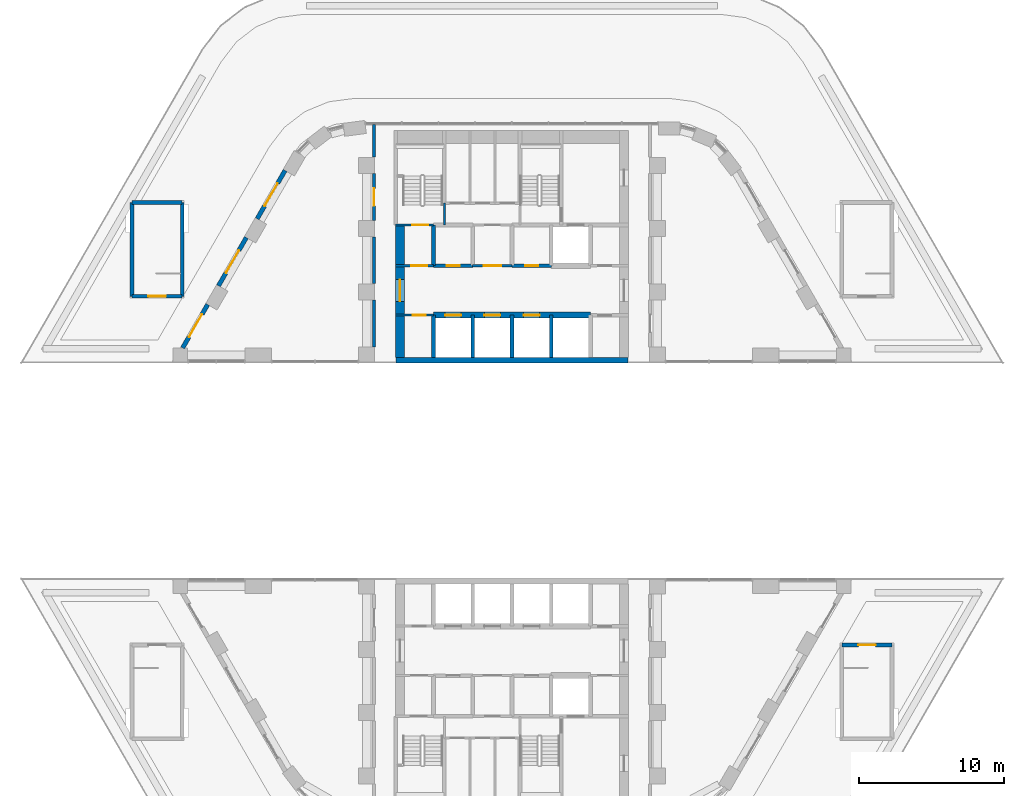
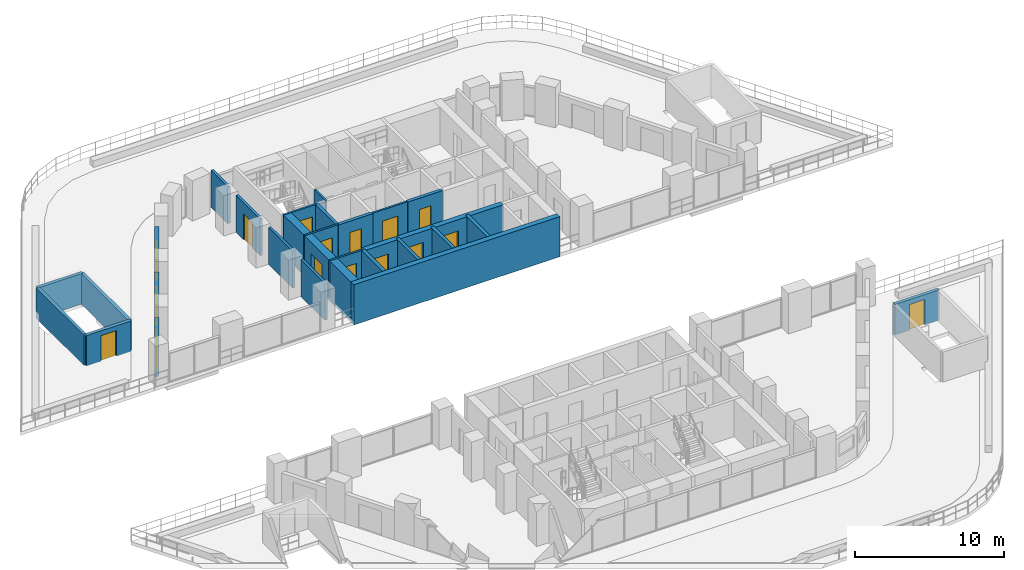
# One storey, part 13 of 24: 27 walls, 16 doors, 16 openings.
"""IFC4 building model written with IfcOpenShell, lengths in metres."""

from ifc_helpers import new_model, si_unit, direction, frame, frame_2d, origin, place, context, subcontext, project, spatial, rectangle, extrude, material, layer, layer_set, type_object, element, fill, save


model = new_model("IFC4")

# Units and contexts
model_context = context("Model", 3, precision=1e-05, world=origin(), true_north=direction((0.0, 1.0)))
body_context = subcontext(model_context, "Body", "Model", "MODEL_VIEW")
ifc_project = project(units=[si_unit("LENGTHUNIT", "METRE"), si_unit("AREAUNIT", "SQUARE_METRE"), si_unit("VOLUMEUNIT", "CUBIC_METRE"), si_unit("PLANEANGLEUNIT", "RADIAN"), si_unit("MASSUNIT", "GRAM", prefix="KILO")], contexts=[model_context])

# Site, building, storey
site_placement = place(None, origin())
site = spatial("IfcSite", under=ifc_project, at=site_placement, CompositionType="ELEMENT")
building_placement = place(site_placement, origin())
building = spatial("IfcBuilding", under=site, at=building_placement, Name="Nakaniwa Court", CompositionType="ELEMENT")
storey_placement = place(building_placement, frame((0.0, 0.0, 28.199951171875)))
storey = spatial("IfcBuildingStorey", under=building, at=storey_placement, Name="L06", CompositionType="ELEMENT", Elevation=28.199951171875)

# Walls
ifc_material_1 = material(Name="Acoustic double stud partition")
ifc_layer_1 = layer(ifc_material_1, 0.199951171875)
ifc_layer_set_1 = layer_set([ifc_layer_1], Name="Acoustic double stud partition")
wall_type_1 = type_object("IfcWallType", Name="Acoustic double stud partition 200", PredefinedType="PARTITIONING", material=ifc_layer_set_1)
wall_1_placement = place(storey_placement, frame((70.5, 88.51708984375, 0.0), z_axis=(0.0, 0.0, 1.0), x_axis=(0.0, 1.0, 0.0)))
element("IfcWall", 1, at=wall_1_placement, inside=storey, type_object=wall_type_1, Name="Partition PW-081", PredefinedType="PARTITIONING", context=body_context, shape_type="SweptSolid", body=[
    extrude(rectangle(XDim=3.2158203125, YDim=0.199951171875, at=frame_2d((1.60791015625, 0.0))), origin(), (0.0, 0.0, 1.0), 3.025146484375),
])
wall_2_placement = place(storey_placement, frame((70.5, 92.866943359375, 0.0), z_axis=(0.0, 0.0, 1.0), x_axis=(0.0, 1.0, 0.0)))
element("IfcWall", 2, at=wall_2_placement, inside=storey, type_object=wall_type_1, Name="Partition PW-082", PredefinedType="PARTITIONING", context=body_context, shape_type="SweptSolid", body=[
    extrude(rectangle(XDim=3.216064453125, YDim=0.199951171875, at=frame_2d((1.60791015625, 0.0))), origin(), (0.0, 0.0, 1.0), 3.025146484375),
])

# Wall, opening, door
wall_3_placement = place(storey_placement, frame((70.5, 97.217041015625, 0.0), z_axis=(0.0, 0.0, 1.0), x_axis=(0.0, 1.0, 0.0)))
wall_3 = element("IfcWall", 3, at=wall_3_placement, inside=storey, type_object=wall_type_1, Name="Partition PW-083", PredefinedType="PARTITIONING", context=body_context, shape_type="SweptSolid", body=[
    extrude(rectangle(XDim=3.216064453125, YDim=0.199951171875, at=frame_2d((1.60791015625, 0.0))), origin(), (0.0, 0.0, 1.0), 3.025146484375),
])
opening_1_placement = place(wall_3_placement, frame((1.008056640625, 0.0, 0.0)))
opening_1 = element("IfcOpeningElement", 4, at=opening_1_placement, cuts=wall_3, Name="Opening D-30-04", PredefinedType="OPENING", context=body_context, shape_type="SweptSolid", body=[
    extrude(rectangle(XDim=1.199951171875, YDim=2.10009765625, at=frame_2d((0.60009765625, 1.050048828125))), frame((0.0, 0.10986328125, 0.0), z_axis=(0.0, -1.0, 0.0), x_axis=(1.0, 0.0, 0.0)), (0.0, 0.0, 1.0), 0.219970703125),
])
ifc_material_2 = material(Name="Solid core timber door set, black veneer", Category="wood")
door_type_1 = type_object("IfcDoorType", Name="Internal door 1200", OperationType="NOTDEFINED", PredefinedType="DOOR", material=ifc_material_2)
door_1_placement = place(opening_1_placement, origin())
door_1 = element("IfcDoor", 5, at=door_1_placement, inside=storey, type_object=door_type_1, Name="Door D-30-04 L06-030", OperationType="SINGLE_SWING_LEFT", OverallHeight=2.10009765625, OverallWidth=1.199951171875, PredefinedType="DOOR", context=body_context, shape_type="SweptSolid", body=[
    extrude(rectangle(XDim=1.199951171875, YDim=2.10009765625, at=frame_2d((0.60009765625, 1.050048828125))), frame((0.0, 0.02490234375, 0.0), z_axis=(0.0, -1.0, 0.0), x_axis=(1.0, 0.0, 0.0)), (0.0, 0.0, 1.0), 0.050048828125),
])
fill(opening_1, door_1)

# Wall
wall_4_placement = place(storey_placement, frame((70.5, 101.56689453125, 0.0), z_axis=(0.0, 0.0, 1.0), x_axis=(0.0, 1.0, 0.0)))
element("IfcWall", 6, at=wall_4_placement, inside=storey, type_object=wall_type_1, Name="Partition PW-084", PredefinedType="PARTITIONING", context=body_context, shape_type="SweptSolid", body=[
    extrude(rectangle(XDim=2.253173828125, YDim=0.199951171875, at=frame_2d((1.12646484375, 0.0))), origin(), (0.0, 0.0, 1.0), 3.025146484375),
])

# Wall, opening, door
ifc_material_3 = material(Name="Charcoal ceramic cladding")
ifc_layer_2 = layer(ifc_material_3, 0.02, Name="Ceramic cladding")
ifc_material_4 = material(Name="Ventilated air cavity")
ifc_layer_3 = layer(ifc_material_4, 0.04, ventilated=True, Name="Ventilated cavity")
ifc_material_5 = material(Name="Mineral wool insulation")
ifc_layer_4 = layer(ifc_material_5, 0.1, Name="Insulation")
ifc_material_6 = material(Name="Cement bonded sheathing board")
ifc_layer_5 = layer(ifc_material_6, 0.012, Name="Sheathing")
ifc_material_7 = material(Name="Cold-formed galvanised stud frame with mineral wool infill")
ifc_layer_6 = layer(ifc_material_7, 0.1, Name="Stud frame")
ifc_material_8 = material(Name="Fire-rated gypsum plasterboard lining")
ifc_layer_7 = layer(ifc_material_8, 0.028, Name="Lining")
ifc_layer_set_2 = layer_set([ifc_layer_2, ifc_layer_3, ifc_layer_4, ifc_layer_5, ifc_layer_6, ifc_layer_7], Name="Charcoal ceramic faced external wall system")
wall_type_2 = type_object("IfcWallType", Name="Black ceramic faced external wall 300", PredefinedType="SOLIDWALL", material=ifc_layer_set_2)
wall_5_placement = place(storey_placement, frame((61.7216796875, 96.041015625, 0.0), z_axis=(0.0, 0.0, 1.0), x_axis=(-0.500001735503, -0.866024401789, 0.0)))
wall_5 = element("IfcWall", 7, at=wall_5_placement, inside=storey, type_object=wall_type_2, Name="L06 deck wall 15", PredefinedType="SOLIDWALL", context=body_context, shape_type="SweptSolid", body=[
    extrude(rectangle(XDim=3.833984375, YDim=0.300048828125, at=frame_2d((1.9169921875, 0.0))), origin(), (0.0, 0.0, 1.0), 2.425048828125),
])
opening_2_placement = place(wall_5_placement, frame((1.01708984375, 0.0, 0.0)))
opening_2 = element("IfcOpeningElement", 8, at=opening_2_placement, cuts=wall_5, Name="Opening XD9.07", PredefinedType="OPENING", context=body_context, shape_type="SweptSolid", body=[
    extrude(rectangle(XDim=1.800048828125, YDim=2.0, at=frame_2d((0.89990234375, 1.0))), frame((0.0, 0.159912109375, 0.0), z_axis=(0.0, -1.0, 0.0), x_axis=(1.0, 0.0, 0.0)), (0.0, 0.0, 1.0), 0.320068359375),
])
ifc_material_9 = material(Name="Black powder-coated aluminium frame with dark laminated glass", Category="aluminium")
door_type_2 = type_object("IfcDoorType", Name="Deck double door 1800x2000", OperationType="DOUBLE_DOOR_SINGLE_SWING", PredefinedType="DOOR", material=ifc_material_9)
door_2_placement = place(opening_2_placement, frame((1.800048828125, 0.0, 0.0), z_axis=(0.0, 0.0, 1.0), x_axis=(-1.0, 0.0, 0.0)))
door_2 = element("IfcDoor", 9, at=door_2_placement, inside=storey, type_object=door_type_2, Name="L06 deck double door 15", OperationType="DOUBLE_DOOR_SINGLE_SWING", OverallHeight=2.0, OverallWidth=1.800048828125, PredefinedType="DOOR", context=body_context, shape_type="SweptSolid", body=[
    extrude(rectangle(XDim=1.800048828125, YDim=2.0, at=frame_2d((0.89990234375, 1.0))), frame((0.0, 0.02490234375, 0.0), z_axis=(0.0, -1.0, 0.0), x_axis=(1.0, 0.0, 0.0)), (0.0, 0.0, 1.0), 0.050048828125),
])
fill(opening_2, door_2)

wall_6_placement = place(storey_placement, frame((59.058837890625, 91.4287109375, 0.0), z_axis=(0.0, 0.0, 1.0), x_axis=(-0.500035437112, -0.866004943191, 0.0)))
wall_6 = element("IfcWall", 10, at=wall_6_placement, inside=storey, type_object=wall_type_2, Name="L06 deck wall 16", PredefinedType="SOLIDWALL", context=body_context, shape_type="SweptSolid", body=[
    extrude(rectangle(XDim=3.443603515625, YDim=0.300048828125, at=frame_2d((1.7216796875, 0.0))), origin(), (0.0, 0.0, 1.0), 2.425048828125),
])
opening_3_placement = place(wall_6_placement, frame((0.77099609375, 0.0, 0.0)))
opening_3 = element("IfcOpeningElement", 11, at=opening_3_placement, cuts=wall_6, Name="Opening XD9.08", PredefinedType="OPENING", context=body_context, shape_type="SweptSolid", body=[
    extrude(rectangle(XDim=1.800048828125, YDim=2.0, at=frame_2d((0.89990234375, 1.0))), frame((0.0, 0.159912109375, 0.0), z_axis=(0.0, -1.0, 0.0), x_axis=(1.0, 0.0, 0.0)), (0.0, 0.0, 1.0), 0.320068359375),
])
door_3_placement = place(opening_3_placement, frame((1.800048828125, 0.0, 0.0), z_axis=(0.0, 0.0, 1.0), x_axis=(-1.0, 0.0, 0.0)))
door_3 = element("IfcDoor", 12, at=door_3_placement, inside=storey, type_object=door_type_2, Name="L06 deck double door 16", OperationType="DOUBLE_DOOR_SINGLE_SWING", OverallHeight=2.0, OverallWidth=1.800048828125, PredefinedType="DOOR", context=body_context, shape_type="SweptSolid", body=[
    extrude(rectangle(XDim=1.800048828125, YDim=2.0, at=frame_2d((0.89990234375, 1.0))), frame((0.0, 0.02490234375, 0.0), z_axis=(0.0, -1.0, 0.0), x_axis=(1.0, 0.0, 0.0)), (0.0, 0.0, 1.0), 0.050048828125),
])
fill(opening_3, door_3)

wall_7_placement = place(storey_placement, frame((64.384765625, 100.653564453125, 0.0), z_axis=(0.0, 0.0, 1.0), x_axis=(-0.499974163209, -0.866040320149, 0.0)))
wall_7 = element("IfcWall", 13, at=wall_7_placement, inside=storey, type_object=wall_type_2, Name="L06 deck wall 29", PredefinedType="SOLIDWALL", context=body_context, shape_type="SweptSolid", body=[
    extrude(rectangle(XDim=3.834228515625, YDim=0.300048828125, at=frame_2d((1.9169921875, 0.0))), origin(), (0.0, 0.0, 1.0), 2.425048828125),
])
opening_4_placement = place(wall_7_placement, frame((1.01708984375, 0.0, 0.0)))
opening_4 = element("IfcOpeningElement", 14, at=opening_4_placement, cuts=wall_7, Name="Opening XD9.12", PredefinedType="OPENING", context=body_context, shape_type="SweptSolid", body=[
    extrude(rectangle(XDim=1.800048828125, YDim=2.0, at=frame_2d((0.89990234375, 1.0))), frame((0.0, 0.159912109375, 0.0), z_axis=(0.0, -1.0, 0.0), x_axis=(1.0, 0.0, 0.0)), (0.0, 0.0, 1.0), 0.320068359375),
])
door_4_placement = place(opening_4_placement, frame((1.800048828125, 0.0, 0.0), z_axis=(0.0, 0.0, 1.0), x_axis=(-1.0, 0.0, 0.0)))
door_4 = element("IfcDoor", 15, at=door_4_placement, inside=storey, type_object=door_type_2, Name="L06 deck double door 29", OperationType="DOUBLE_DOOR_SINGLE_SWING", OverallHeight=2.0, OverallWidth=1.800048828125, PredefinedType="DOOR", context=body_context, shape_type="SweptSolid", body=[
    extrude(rectangle(XDim=1.800048828125, YDim=2.0, at=frame_2d((0.89990234375, 1.0))), frame((0.0, 0.02490234375, 0.0), z_axis=(0.0, -1.0, 0.0), x_axis=(1.0, 0.0, 0.0)), (0.0, 0.0, 1.0), 0.050048828125),
])
fill(opening_4, door_4)

ifc_material_10 = material(Name="Blockwork partition", Category="masonry")
ifc_layer_8 = layer(ifc_material_10, 0.14990234375)
ifc_layer_set_3 = layer_set([ifc_layer_8], Name="Blockwork partition")
wall_type_3 = type_object("IfcWallType", Name="Blockwork partition 150", PredefinedType="PARTITIONING", material=ifc_layer_set_3)
wall_8_placement = place(storey_placement, frame((74.60009765625, 90.699951171875, 0.0), z_axis=(0.0, 0.0, 1.0), x_axis=(-1.0, 0.0, 0.0)))
wall_8 = element("IfcWall", 16, at=wall_8_placement, inside=storey, type_object=wall_type_3, Name="Partition PW-003", PredefinedType="PARTITIONING", context=body_context, shape_type="SweptSolid", body=[
    extrude(rectangle(XDim=2.60009765625, YDim=0.14990234375, at=frame_2d((1.300048828125, 0.0))), origin(), (0.0, 0.0, 1.0), 3.025146484375),
])
opening_5_placement = place(wall_8_placement, frame((0.52490234375, 0.0, 0.0)))
opening_5 = element("IfcOpeningElement", 17, at=opening_5_placement, cuts=wall_8, Name="Opening D-05-01", PredefinedType="OPENING", context=body_context, shape_type="SweptSolid", body=[
    extrude(rectangle(XDim=0.89990234375, YDim=2.10009765625, at=frame_2d((0.449951171875, 1.050048828125))), frame((0.0, 0.0849609375, 0.0), z_axis=(0.0, -1.0, 0.0), x_axis=(1.0, 0.0, 0.0)), (0.0, 0.0, 1.0), 0.169921875),
])
ifc_material_11 = material(Name="Fire rated steel door set", Category="steel")
door_type_3 = type_object("IfcDoorType", Name="Service room door 900", OperationType="NOTDEFINED", PredefinedType="DOOR", material=ifc_material_11)
door_5_placement = place(opening_5_placement, origin())
door_5 = element("IfcDoor", 18, at=door_5_placement, inside=storey, type_object=door_type_3, Name="Door D-05-01 L06-001", OperationType="SINGLE_SWING_RIGHT", OverallHeight=2.10009765625, OverallWidth=0.89990234375, PredefinedType="DOOR", context=body_context, shape_type="SweptSolid", body=[
    extrude(rectangle(XDim=0.89990234375, YDim=2.10009765625, at=frame_2d((0.449951171875, 1.050048828125))), frame((0.0, 0.02490234375, 0.0), z_axis=(0.0, -1.0, 0.0), x_axis=(1.0, 0.0, 0.0)), (0.0, 0.0, 1.0), 0.050048828125),
])
fill(opening_5, door_5)

wall_9_placement = place(storey_placement, frame((72.0, 94.10009765625, 0.0), z_axis=(0.0, 0.0, 1.0), x_axis=(1.0, 0.0, 0.0)))
wall_9 = element("IfcWall", 19, at=wall_9_placement, inside=storey, type_object=wall_type_3, Name="Partition PW-016", PredefinedType="PARTITIONING", context=body_context, shape_type="SweptSolid", body=[
    extrude(rectangle(XDim=2.60302734375, YDim=0.14990234375, at=frame_2d((1.301513671875, 0.0))), origin(), (0.0, 0.0, 1.0), 3.025146484375),
])
opening_6_placement = place(wall_9_placement, frame((1.074951171875, 0.0, 0.0)))
opening_6 = element("IfcOpeningElement", 20, at=opening_6_placement, cuts=wall_9, Name="Opening D-08-01", PredefinedType="OPENING", context=body_context, shape_type="SweptSolid", body=[
    extrude(rectangle(XDim=1.10009765625, YDim=2.10009765625, at=frame_2d((0.550048828125, 1.050048828125))), frame((0.0, 0.0849609375, 0.0), z_axis=(0.0, -1.0, 0.0), x_axis=(1.0, 0.0, 0.0)), (0.0, 0.0, 1.0), 0.169921875),
])
door_type_4 = type_object("IfcDoorType", Name="Stair lobby door 1100", OperationType="NOTDEFINED", PredefinedType="DOOR", material=ifc_material_11)
door_6_placement = place(opening_6_placement, origin())
door_6 = element("IfcDoor", 21, at=door_6_placement, inside=storey, type_object=door_type_4, Name="Door D-08-01 L06-003", OperationType="SINGLE_SWING_RIGHT", OverallHeight=2.10009765625, OverallWidth=1.10009765625, PredefinedType="DOOR", context=body_context, shape_type="SweptSolid", body=[
    extrude(rectangle(XDim=1.10009765625, YDim=2.10009765625, at=frame_2d((0.550048828125, 1.050048828125))), frame((0.0, 0.02490234375, 0.0), z_axis=(0.0, -1.0, 0.0), x_axis=(1.0, 0.0, 0.0)), (0.0, 0.0, 1.0), 0.050048828125),
])
fill(opening_6, door_6)

wall_10_placement = place(storey_placement, frame((77.297119140625, 94.10009765625, 0.0), z_axis=(0.0, 0.0, 1.0), x_axis=(1.0, 0.0, 0.0)))
wall_10 = element("IfcWall", 22, at=wall_10_placement, inside=storey, type_object=wall_type_3, Name="Partition PW-017", PredefinedType="PARTITIONING", context=body_context, shape_type="SweptSolid", body=[
    extrude(rectangle(XDim=2.705810546875, YDim=0.14990234375, at=frame_2d((1.35302734375, 0.0))), origin(), (0.0, 0.0, 1.0), 3.025146484375),
])
opening_7_placement = place(wall_10_placement, frame((0.7529296875, 0.0, 0.0)))
opening_7 = element("IfcOpeningElement", 23, at=opening_7_placement, cuts=wall_10, Name="Opening D-06-01", PredefinedType="OPENING", context=body_context, shape_type="SweptSolid", body=[
    extrude(rectangle(XDim=1.199951171875, YDim=2.10009765625, at=frame_2d((0.60009765625, 1.050048828125))), frame((0.0, 0.0849609375, 0.0), z_axis=(0.0, -1.0, 0.0), x_axis=(1.0, 0.0, 0.0)), (0.0, 0.0, 1.0), 0.169921875),
])
ifc_material_12 = material(Name="Fire rated steel double door set", Category="steel")
door_type_5 = type_object("IfcDoorType", Name="Service passage double door 1200", OperationType="NOTDEFINED", PredefinedType="DOOR", material=ifc_material_12)
door_7_placement = place(opening_7_placement, origin())
door_7 = element("IfcDoor", 24, at=door_7_placement, inside=storey, type_object=door_type_5, Name="Door D-06-01 L06-005", OperationType="DOUBLE_DOOR_SINGLE_SWING", OverallHeight=2.10009765625, OverallWidth=1.199951171875, PredefinedType="DOOR", context=body_context, shape_type="SweptSolid", body=[
    extrude(rectangle(XDim=1.199951171875, YDim=2.10009765625, at=frame_2d((0.60009765625, 1.050048828125))), frame((0.0, 0.02490234375, 0.0), z_axis=(0.0, -1.0, 0.0), x_axis=(1.0, 0.0, 0.0)), (0.0, 0.0, 1.0), 0.050048828125),
])
fill(opening_7, door_7)

ifc_material_13 = material(Name="Concrete C100/115", Category="concrete")
ifc_layer_9 = layer(ifc_material_13, 0.60009765625)
ifc_layer_set_4 = layer_set([ifc_layer_9], Name="Concrete C100/115")
wall_type_4 = type_object("IfcWallType", Name="Concrete core side wall 600 C100", PredefinedType="SHEAR", material=ifc_layer_set_4)
wall_11_placement = place(storey_placement, frame((72.300048828125, 87.800048828125, -0.27490234375), z_axis=(0.0, 0.0, 1.0), x_axis=(0.0, 1.0, 0.0)))
wall_11 = element("IfcWall", 25, at=wall_11_placement, inside=storey, type_object=wall_type_4, Name="Core wall SW-04", PredefinedType="SHEAR", context=body_context, shape_type="SweptSolid", body=[
    extrude(rectangle(XDim=9.099853515625, YDim=0.60009765625, at=frame_2d((4.5498046875, 0.0))), origin(), (0.0, 0.0, 1.0), 3.300048828125),
])
opening_8_placement = place(wall_11_placement, frame((3.85009765625, 0.0, 0.27490234375)))
opening_8 = element("IfcOpeningElement", 26, at=opening_8_placement, cuts=wall_11, Name="Opening D-07-02", PredefinedType="OPENING", context=body_context, shape_type="SweptSolid", body=[
    extrude(rectangle(XDim=1.5, YDim=2.10009765625, at=frame_2d((0.75, 1.050048828125))), frame((0.0, 0.31005859375, 0.0), z_axis=(0.0, -1.0, 0.0), x_axis=(1.0, 0.0, 0.0)), (0.0, 0.0, 1.0), 0.6201171875),
])
ifc_material_14 = material(Name="Glazed fire rated steel double door set", Category="steel")
door_type_6 = type_object("IfcDoorType", Name="Lobby double door 1500", OperationType="NOTDEFINED", PredefinedType="DOOR", material=ifc_material_14)
door_8_placement = place(opening_8_placement, origin())
door_8 = element("IfcDoor", 27, at=door_8_placement, inside=storey, type_object=door_type_6, Name="Door D-07-02 L06-032", OperationType="DOUBLE_DOOR_SINGLE_SWING", OverallHeight=2.10009765625, OverallWidth=1.5, PredefinedType="DOOR", context=body_context, shape_type="SweptSolid", body=[
    extrude(rectangle(XDim=1.5, YDim=2.10009765625, at=frame_2d((0.75, 1.050048828125))), frame((0.0, 0.02490234375, 0.0), z_axis=(0.0, -1.0, 0.0), x_axis=(1.0, 0.0, 0.0)), (0.0, 0.0, 1.0), 0.050048828125),
])
fill(opening_8, door_8)

# Wall, openings, doors
ifc_layer_10 = layer(ifc_material_13, 0.39990234375)
ifc_layer_set_5 = layer_set([ifc_layer_10], Name="Concrete C100/115")
wall_type_5 = type_object("IfcWallType", Name="Concrete core spine wall 400 C100", PredefinedType="SHEAR", material=ifc_layer_set_5)
wall_12_placement = place(storey_placement, frame((74.60009765625, 90.699951171875, -0.27490234375), z_axis=(0.0, 0.0, 1.0), x_axis=(1.0, 0.0, 0.0)))
wall_12 = element("IfcWall", 28, at=wall_12_placement, inside=storey, type_object=wall_type_5, Name="Core wall SW-07", PredefinedType="SHEAR", context=body_context, shape_type="SweptSolid", body=[
    extrude(rectangle(XDim=10.7998046875, YDim=0.39990234375, at=frame_2d((5.39990234375, 0.0))), origin(), (0.0, 0.0, 1.0), 3.300048828125),
])
opening_9_placement = place(wall_12_placement, frame((0.800048828125, 0.0, 0.27490234375)))
opening_9 = element("IfcOpeningElement", 29, at=opening_9_placement, cuts=wall_12, Name="Opening LD01", PredefinedType="OPENING", context=body_context, shape_type="SweptSolid", body=[
    extrude(rectangle(XDim=1.10009765625, YDim=2.10009765625, at=frame_2d((0.550048828125, 1.050048828125))), frame((0.0, 0.2099609375, 0.0), z_axis=(0.0, -1.0, 0.0), x_axis=(1.0, 0.0, 0.0)), (0.0, 0.0, 1.0), 0.419921875),
])
opening_10_placement = place(wall_12_placement, frame((3.5, 0.0, 0.27490234375)))
opening_10 = element("IfcOpeningElement", 30, at=opening_10_placement, cuts=wall_12, Name="Opening LD02", PredefinedType="OPENING", context=body_context, shape_type="SweptSolid", body=[
    extrude(rectangle(XDim=1.10009765625, YDim=2.10009765625, at=frame_2d((0.550048828125, 1.050048828125))), frame((0.0, 0.2099609375, 0.0), z_axis=(0.0, -1.0, 0.0), x_axis=(1.0, 0.0, 0.0)), (0.0, 0.0, 1.0), 0.419921875),
])
opening_11_placement = place(wall_12_placement, frame((6.199951171875, 0.0, 0.27490234375)))
opening_11 = element("IfcOpeningElement", 31, at=opening_11_placement, cuts=wall_12, Name="Opening LD03", PredefinedType="OPENING", context=body_context, shape_type="SweptSolid", body=[
    extrude(rectangle(XDim=1.10009765625, YDim=2.10009765625, at=frame_2d((0.550048828125, 1.050048828125))), frame((0.0, 0.2099609375, 0.0), z_axis=(0.0, -1.0, 0.0), x_axis=(1.0, 0.0, 0.0)), (0.0, 0.0, 1.0), 0.419921875),
])
ifc_material_15 = material(Name="Stainless steel sliding lift landing door", Category="steel")
door_type_7 = type_object("IfcDoorType", Name="Lift landing door 1100", OperationType="NOTDEFINED", PredefinedType="DOOR", material=ifc_material_15)
door_9_placement = place(opening_9_placement, origin())
door_9 = element("IfcDoor", 32, at=door_9_placement, inside=storey, type_object=door_type_7, Name="Lift landing door LD01 L06-001", OperationType="SLIDING_TO_LEFT", OverallHeight=2.10009765625, OverallWidth=1.10009765625, PredefinedType="DOOR", context=body_context, shape_type="SweptSolid", body=[
    extrude(rectangle(XDim=1.10009765625, YDim=2.10009765625, at=frame_2d((0.550048828125, 1.050048828125))), frame((0.0, 0.02490234375, 0.0), z_axis=(0.0, -1.0, 0.0), x_axis=(1.0, 0.0, 0.0)), (0.0, 0.0, 1.0), 0.050048828125),
])
fill(opening_9, door_9)
door_10_placement = place(opening_10_placement, origin())
door_10 = element("IfcDoor", 33, at=door_10_placement, inside=storey, type_object=door_type_7, Name="Lift landing door LD02 L06-002", OperationType="SLIDING_TO_LEFT", OverallHeight=2.10009765625, OverallWidth=1.10009765625, PredefinedType="DOOR", context=body_context, shape_type="SweptSolid", body=[
    extrude(rectangle(XDim=1.10009765625, YDim=2.10009765625, at=frame_2d((0.550048828125, 1.050048828125))), frame((0.0, 0.02490234375, 0.0), z_axis=(0.0, -1.0, 0.0), x_axis=(1.0, 0.0, 0.0)), (0.0, 0.0, 1.0), 0.050048828125),
])
fill(opening_10, door_10)
door_11_placement = place(opening_11_placement, origin())
door_11 = element("IfcDoor", 34, at=door_11_placement, inside=storey, type_object=door_type_7, Name="Lift landing door LD03 L06-003", OperationType="SLIDING_TO_LEFT", OverallHeight=2.10009765625, OverallWidth=1.10009765625, PredefinedType="DOOR", context=body_context, shape_type="SweptSolid", body=[
    extrude(rectangle(XDim=1.10009765625, YDim=2.10009765625, at=frame_2d((0.550048828125, 1.050048828125))), frame((0.0, 0.02490234375, 0.0), z_axis=(0.0, -1.0, 0.0), x_axis=(1.0, 0.0, 0.0)), (0.0, 0.0, 1.0), 0.050048828125),
])
fill(opening_11, door_11)

# Wall, opening, door
ifc_layer_11 = layer(ifc_material_13, 0.14990234375)
ifc_layer_set_6 = layer_set([ifc_layer_11], Name="Concrete C100/115")
wall_type_6 = type_object("IfcWallType", Name="Concrete core wall 150 C100", PredefinedType="SHEAR", material=ifc_layer_set_6)
wall_13_placement = place(storey_placement, frame((74.60009765625, 96.89990234375, -0.27490234375), z_axis=(0.0, 0.0, 1.0), x_axis=(-1.0, 0.0, 0.0)))
wall_13 = element("IfcWall", 35, at=wall_13_placement, inside=storey, type_object=wall_type_6, Name="Core wall SW-22", PredefinedType="SHEAR", context=body_context, shape_type="SweptSolid", body=[
    extrude(rectangle(XDim=2.60009765625, YDim=0.14990234375, at=frame_2d((1.300048828125, 0.0))), origin(), (0.0, 0.0, 1.0), 3.300048828125),
])
opening_12_placement = place(wall_13_placement, frame((0.3701171875, 0.0, 0.27490234375)))
opening_12 = element("IfcOpeningElement", 36, at=opening_12_placement, cuts=wall_13, Name="Opening D-09-01", PredefinedType="OPENING", context=body_context, shape_type="SweptSolid", body=[
    extrude(rectangle(XDim=1.10009765625, YDim=2.10009765625, at=frame_2d((0.550048828125, 1.050048828125))), frame((0.0, 0.0849609375, 0.0), z_axis=(0.0, -1.0, 0.0), x_axis=(1.0, 0.0, 0.0)), (0.0, 0.0, 1.0), 0.169921875),
])
door_type_8 = type_object("IfcDoorType", Name="Stair door 1100", OperationType="NOTDEFINED", PredefinedType="DOOR", material=ifc_material_11)
door_12_placement = place(opening_12_placement, origin())
door_12 = element("IfcDoor", 37, at=door_12_placement, inside=storey, type_object=door_type_8, Name="Door D-09-01 L06-012", OperationType="SINGLE_SWING_RIGHT", OverallHeight=2.10009765625, OverallWidth=1.10009765625, PredefinedType="DOOR", context=body_context, shape_type="SweptSolid", body=[
    extrude(rectangle(XDim=1.10009765625, YDim=2.10009765625, at=frame_2d((0.550048828125, 1.050048828125))), frame((0.0, 0.02490234375, 0.0), z_axis=(0.0, -1.0, 0.0), x_axis=(1.0, 0.0, 0.0)), (0.0, 0.0, 1.0), 0.050048828125),
])
fill(opening_12, door_12)

# Walls
wall_14_placement = place(storey_placement, frame((75.35009765625, 96.89990234375, -0.27490234375), z_axis=(0.0, 0.0, 1.0), x_axis=(0.0, 1.0, 0.0)))
element("IfcWall", 38, at=wall_14_placement, inside=storey, type_object=wall_type_6, Name="Core wall SW-26", PredefinedType="SHEAR", context=body_context, shape_type="SweptSolid", body=[
    extrude(rectangle(XDim=1.503173828125, YDim=0.14990234375, at=frame_2d((0.75146484375, 0.0))), origin(), (0.0, 0.0, 1.0), 3.300048828125),
])
ifc_layer_12 = layer(ifc_material_13, 0.39990234375)
ifc_layer_set_7 = layer_set([ifc_layer_12], Name="Concrete C100/115")
wall_type_7 = type_object("IfcWallType", Name="Concrete core well wall 400 C100", PredefinedType="SHEAR", material=ifc_layer_set_7)
wall_15_placement = place(storey_placement, frame((72.00390625, 87.60009765625, -0.27490234375), z_axis=(0.0, 0.0, 1.0), x_axis=(1.0, 0.0, 0.0)))
element("IfcWall", 39, at=wall_15_placement, inside=storey, type_object=wall_type_7, Name="Core wall SW-85", PredefinedType="SHEAR", context=body_context, shape_type="SweptSolid", body=[
    extrude(rectangle(XDim=15.9921875, YDim=0.39990234375, at=frame_2d((7.99609375, 0.0))), origin(), (0.0, 0.0, 1.0), 3.300048828125),
])
ifc_layer_13 = layer(ifc_material_13, 0.25)
ifc_layer_set_8 = layer_set([ifc_layer_13], Name="Concrete C100/115")
wall_type_8 = type_object("IfcWallType", Name="Concrete shaft wall 250 C100", PredefinedType="SHEAR", material=ifc_layer_set_8)
wall_16_placement = place(storey_placement, frame((74.60009765625, 87.800048828125, -0.27490234375), z_axis=(0.0, 0.0, 1.0), x_axis=(0.0, 1.0, 0.0)))
element("IfcWall", 40, at=wall_16_placement, inside=storey, type_object=wall_type_8, Name="Core wall SW-01", PredefinedType="SHEAR", context=body_context, shape_type="SweptSolid", body=[
    extrude(rectangle(XDim=2.89990234375, YDim=0.25, at=frame_2d((1.449951171875, 0.0))), origin(), (0.0, 0.0, 1.0), 3.300048828125),
])
wall_17_placement = place(storey_placement, frame((74.60009765625, 94.10009765625, -0.27490234375), z_axis=(0.0, 0.0, 1.0), x_axis=(0.0, 1.0, 0.0)))
element("IfcWall", 41, at=wall_17_placement, inside=storey, type_object=wall_type_8, Name="Core wall SW-02", PredefinedType="SHEAR", context=body_context, shape_type="SweptSolid", body=[
    extrude(rectangle(XDim=2.7998046875, YDim=0.25, at=frame_2d((1.39990234375, 0.0))), origin(), (0.0, 0.0, 1.0), 3.300048828125),
])
for number, where, z_axis, x_axis, name in (
    (42, (77.300048828125, 87.800048828125, -0.27490234375), (0.0, 0.0, 1.0), (0.0, 1.0, 0.0), "Core wall SW-05"),
    (43, (80.0, 87.800048828125, -0.27490234375), (0.0, 0.0, 1.0), (0.0, 1.0, 0.0), "Core wall SW-08"),
    (44, (82.699951171875, 87.800048828125, -0.27490234375), (0.0, 0.0, 1.0), (0.0, 1.0, 0.0), "Core wall SW-10"),
):
    element("IfcWall", number, at=place(storey_placement, frame(where, z_axis=z_axis, x_axis=x_axis)), inside=storey, type_object=wall_type_8, Name=name, PredefinedType="SHEAR", context=body_context, shape_type="SweptSolid", body=[
        extrude(rectangle(XDim=2.89990234375, YDim=0.25, at=frame_2d((1.449951171875, 0.0))), origin(), (0.0, 0.0, 1.0), 3.300048828125),
    ])

# Wall, opening, door
wall_18_placement = place(storey_placement, frame((74.596923828125, 94.10009765625, -0.27490234375), z_axis=(0.0, 0.0, 1.0), x_axis=(1.0, 0.0, 0.0)))
wall_18 = element("IfcWall", 45, at=wall_18_placement, inside=storey, type_object=wall_type_8, Name="Core wall SW-19", PredefinedType="SHEAR", context=body_context, shape_type="SweptSolid", body=[
    extrude(rectangle(XDim=2.7060546875, YDim=0.25, at=frame_2d((1.35302734375, 0.0))), origin(), (0.0, 0.0, 1.0), 3.300048828125),
])
opening_13_placement = place(wall_18_placement, frame((0.903076171875, 0.0, 0.27490234375)))
opening_13 = element("IfcOpeningElement", 46, at=opening_13_placement, cuts=wall_18, Name="Opening D-05-03", PredefinedType="OPENING", context=body_context, shape_type="SweptSolid", body=[
    extrude(rectangle(XDim=0.89990234375, YDim=2.10009765625, at=frame_2d((0.449951171875, 1.050048828125))), frame((0.0, 0.135009765625, 0.0), z_axis=(0.0, -1.0, 0.0), x_axis=(1.0, 0.0, 0.0)), (0.0, 0.0, 1.0), 0.27001953125),
])
door_13_placement = place(opening_13_placement, origin())
door_13 = element("IfcDoor", 47, at=door_13_placement, inside=storey, type_object=door_type_3, Name="Door D-05-03 L06-004", OperationType="SINGLE_SWING_LEFT", OverallHeight=2.10009765625, OverallWidth=0.89990234375, PredefinedType="DOOR", context=body_context, shape_type="SweptSolid", body=[
    extrude(rectangle(XDim=0.89990234375, YDim=2.10009765625, at=frame_2d((0.449951171875, 1.050048828125))), frame((0.0, 0.02490234375, 0.0), z_axis=(0.0, -1.0, 0.0), x_axis=(1.0, 0.0, 0.0)), (0.0, 0.0, 1.0), 0.050048828125),
])
fill(opening_13, door_13)

wall_19_placement = place(storey_placement, frame((79.9970703125, 94.10009765625, -0.27490234375), z_axis=(0.0, 0.0, 1.0), x_axis=(1.0, 0.0, 0.0)))
wall_19 = element("IfcWall", 48, at=wall_19_placement, inside=storey, type_object=wall_type_8, Name="Core wall SW-20", PredefinedType="SHEAR", context=body_context, shape_type="SweptSolid", body=[
    extrude(rectangle(XDim=2.705810546875, YDim=0.25, at=frame_2d((1.35302734375, 0.0))), origin(), (0.0, 0.0, 1.0), 3.300048828125),
])
opening_14_placement = place(wall_19_placement, frame((0.903076171875, 0.0, 0.27490234375)))
opening_14 = element("IfcOpeningElement", 49, at=opening_14_placement, cuts=wall_19, Name="Opening D-05-04", PredefinedType="OPENING", context=body_context, shape_type="SweptSolid", body=[
    extrude(rectangle(XDim=0.89990234375, YDim=2.10009765625, at=frame_2d((0.449951171875, 1.050048828125))), frame((0.0, 0.135009765625, 0.0), z_axis=(0.0, -1.0, 0.0), x_axis=(1.0, 0.0, 0.0)), (0.0, 0.0, 1.0), 0.27001953125),
])
door_14_placement = place(opening_14_placement, origin())
door_14 = element("IfcDoor", 50, at=door_14_placement, inside=storey, type_object=door_type_3, Name="Door D-05-04 L06-006", OperationType="SINGLE_SWING_LEFT", OverallHeight=2.10009765625, OverallWidth=0.89990234375, PredefinedType="DOOR", context=body_context, shape_type="SweptSolid", body=[
    extrude(rectangle(XDim=0.89990234375, YDim=2.10009765625, at=frame_2d((0.449951171875, 1.050048828125))), frame((0.0, 0.02490234375, 0.0), z_axis=(0.0, -1.0, 0.0), x_axis=(1.0, 0.0, 0.0)), (0.0, 0.0, 1.0), 0.050048828125),
])
fill(opening_14, door_14)

ifc_layer_14 = layer(ifc_material_13, 0.25)
ifc_layer_set_9 = layer_set([ifc_layer_14], Name="Concrete C100/115")
wall_type_9 = type_object("IfcWallType", Name="Concrete shaft wall 250 C100 external", PredefinedType="SHEAR", material=ifc_layer_set_9)
wall_20_placement = place(storey_placement, frame((53.85009765625, 92.0, 0.0), z_axis=(0.0, 0.0, 1.0), x_axis=(1.0, 0.0, 0.0)))
wall_20 = element("IfcWall", 51, at=wall_20_placement, inside=storey, type_object=wall_type_9, Name="Stair head house wall SW-93", PredefinedType="SHEAR", context=body_context, shape_type="SweptSolid", body=[
    extrude(rectangle(XDim=3.449951171875, YDim=0.25, at=frame_2d((1.72509765625, 0.0))), origin(), (0.0, 0.0, 1.0), 2.5),
])
opening_15_placement = place(wall_20_placement, frame((1.125, 0.0, 0.0)))
opening_15 = element("IfcOpeningElement", 52, at=opening_15_placement, cuts=wall_20, Name="Opening D-13-02", PredefinedType="OPENING", context=body_context, shape_type="SweptSolid", body=[
    extrude(rectangle(XDim=1.199951171875, YDim=2.10009765625, at=frame_2d((0.60009765625, 1.050048828125))), frame((0.0, 0.135009765625, 0.0), z_axis=(0.0, -1.0, 0.0), x_axis=(1.0, 0.0, 0.0)), (0.0, 0.0, 1.0), 0.27001953125),
])
door_type_9 = type_object("IfcDoorType", Name="Stair head house door 1200", OperationType="NOTDEFINED", PredefinedType="DOOR", material=ifc_material_12)
door_15_placement = place(opening_15_placement, origin())
door_15 = element("IfcDoor", 53, at=door_15_placement, inside=storey, type_object=door_type_9, Name="Door D-13 L06-hh38", OperationType="DOUBLE_DOOR_SINGLE_SWING", OverallHeight=2.10009765625, OverallWidth=1.199951171875, PredefinedType="DOOR", context=body_context, shape_type="SweptSolid", body=[
    extrude(rectangle(XDim=1.199951171875, YDim=2.10009765625, at=frame_2d((0.60009765625, 1.050048828125))), frame((0.0, 0.02490234375, 0.0), z_axis=(0.0, -1.0, 0.0), x_axis=(1.0, 0.0, 0.0)), (0.0, 0.0, 1.0), 0.050048828125),
])
fill(opening_15, door_15)

# Walls
wall_21_placement = place(storey_placement, frame((57.300048828125, 98.449951171875, 0.0), z_axis=(0.0, 0.0, 1.0), x_axis=(-1.0, 0.0, 0.0)))
element("IfcWall", 54, at=wall_21_placement, inside=storey, type_object=wall_type_9, Name="Stair head house wall SW-94", PredefinedType="SHEAR", context=body_context, shape_type="SweptSolid", body=[
    extrude(rectangle(XDim=3.449951171875, YDim=0.25, at=frame_2d((1.72509765625, 0.0))), origin(), (0.0, 0.0, 1.0), 2.5),
])
for number, where, z_axis, x_axis, name in (
    (55, (57.300048828125, 92.0, 0.0), (0.0, 0.0, 1.0), (0.0, 1.0, 0.0), "Stair head house wall SW-95"),
    (56, (53.85009765625, 98.449951171875, 0.0), (0.0, 0.0, 1.0), (0.0, -1.0, 0.0), "Stair head house wall SW-96"),
):
    element("IfcWall", number, at=place(storey_placement, frame(where, z_axis=z_axis, x_axis=x_axis)), inside=storey, type_object=wall_type_9, Name=name, PredefinedType="SHEAR", context=body_context, shape_type="SweptSolid", body=[
        extrude(rectangle(XDim=6.449951171875, YDim=0.25, at=frame_2d((3.22509765625, 0.0))), origin(), (0.0, 0.0, 1.0), 2.5),
    ])

# Wall, opening, door
wall_22_placement = place(storey_placement, frame((102.699951171875, 68.0, 0.0), z_axis=(0.0, 0.0, 1.0), x_axis=(1.0, 0.0, 0.0)))
wall_22 = element("IfcWall", 57, at=wall_22_placement, inside=storey, type_object=wall_type_9, Name="Stair head house wall SW-97", PredefinedType="SHEAR", context=body_context, shape_type="SweptSolid", body=[
    extrude(rectangle(XDim=3.449951171875, YDim=0.25, at=frame_2d((1.72509765625, 0.0))), origin(), (0.0, 0.0, 1.0), 2.5),
])
opening_16_placement = place(wall_22_placement, frame((1.125, 0.0, 0.0)))
opening_16 = element("IfcOpeningElement", 58, at=opening_16_placement, cuts=wall_22, Name="Opening D-13-03", PredefinedType="OPENING", context=body_context, shape_type="SweptSolid", body=[
    extrude(rectangle(XDim=1.199951171875, YDim=2.10009765625, at=frame_2d((0.60009765625, 1.050048828125))), frame((0.0, 0.135009765625, 0.0), z_axis=(0.0, -1.0, 0.0), x_axis=(1.0, 0.0, 0.0)), (0.0, 0.0, 1.0), 0.27001953125),
])
door_16_placement = place(opening_16_placement, frame((1.199951171875, 0.0, 0.0), z_axis=(0.0, 0.0, 1.0), x_axis=(-1.0, 0.0, 0.0)))
door_16 = element("IfcDoor", 59, at=door_16_placement, inside=storey, type_object=door_type_9, Name="Door D-13 L06-hh39", OperationType="DOUBLE_DOOR_SINGLE_SWING", OverallHeight=2.10009765625, OverallWidth=1.199951171875, PredefinedType="DOOR", context=body_context, shape_type="SweptSolid", body=[
    extrude(rectangle(XDim=1.199951171875, YDim=2.10009765625, at=frame_2d((0.60009765625, 1.050048828125))), frame((0.0, 0.02490234375, 0.0), z_axis=(0.0, -1.0, 0.0), x_axis=(1.0, 0.0, 0.0)), (0.0, 0.0, 1.0), 0.050048828125),
])
fill(opening_16, door_16)

save(model, "model.ifc")
